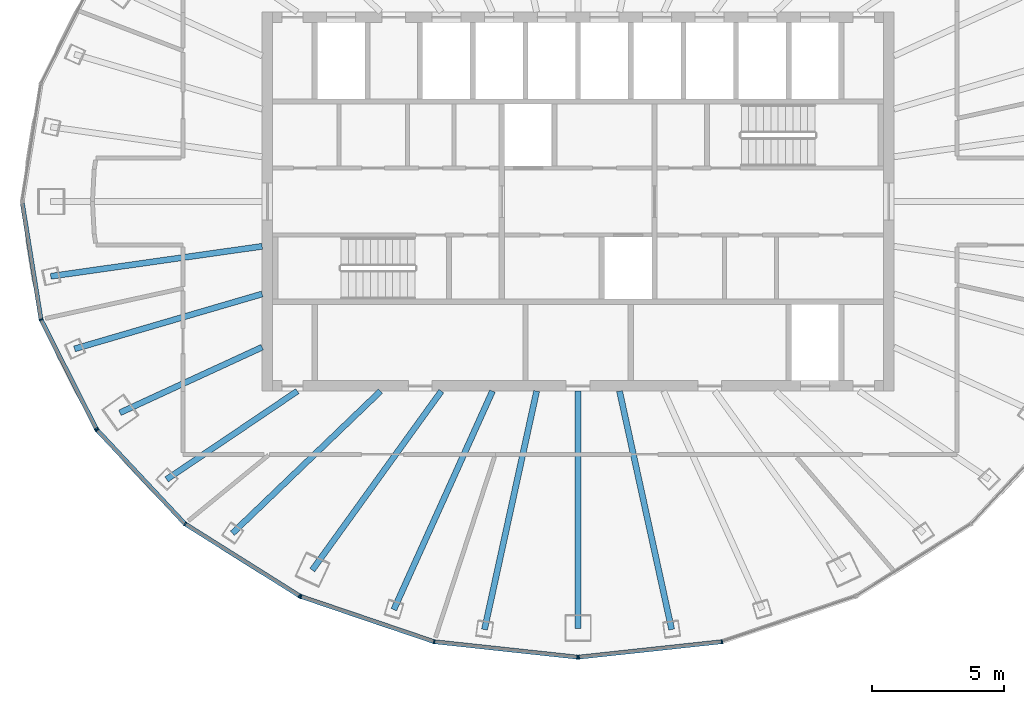
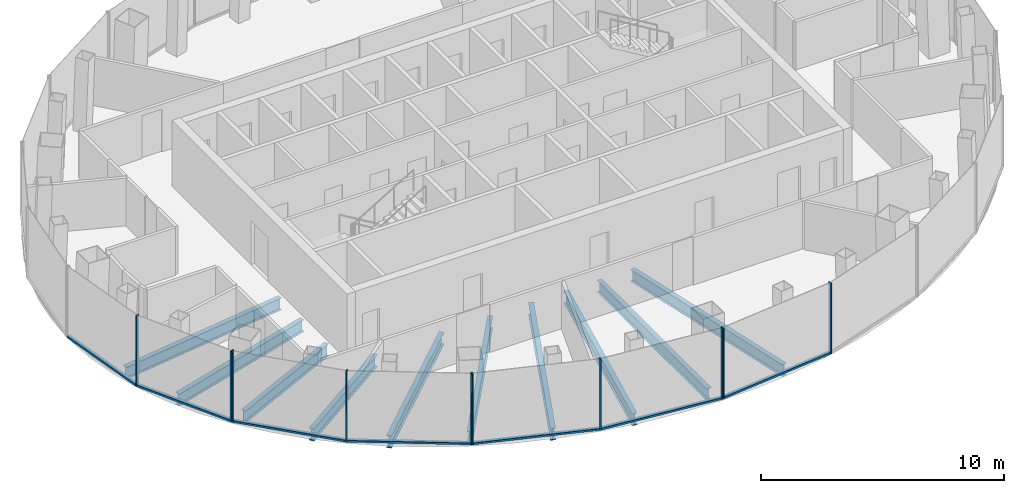
# One storey, part 2 of 11: 17 members, 10 beams, 4 elements without a shape of their own.
"""IFC4 building model written with IfcOpenShell, lengths in metres."""

from ifc_helpers import new_model, si_unit, direction, frame, origin, origin_2d, place, context, subcontext, project, spatial, rectangle, i_section, extrude, material, layer, layer_set, material_profile, profile_set, type_object, element, aggregate, save


model = new_model("IFC4")

# Units and contexts
model_context = context("Model", 3, precision=1e-05, world=origin(), true_north=direction((0.0, 1.0)))
body_context = subcontext(model_context, "Body", "Model", "MODEL_VIEW")
ifc_project = project(units=[si_unit("LENGTHUNIT", "METRE"), si_unit("AREAUNIT", "SQUARE_METRE"), si_unit("VOLUMEUNIT", "CUBIC_METRE"), si_unit("PLANEANGLEUNIT", "RADIAN"), si_unit("MASSUNIT", "GRAM", prefix="KILO")], contexts=[model_context])

# Site, building, storey
site_placement = place(None, origin())
site = spatial("IfcSite", under=ifc_project, at=site_placement, CompositionType="ELEMENT")
building_placement = place(site_placement, origin())
building = spatial("IfcBuilding", under=site, at=building_placement, Name="Siaravel Broadcast Tower", CompositionType="ELEMENT")
storey_placement = place(building_placement, frame((0.0, 0.0, 243.0)))
storey = spatial("IfcBuildingStorey", under=building, at=storey_placement, Name="L59", CompositionType="ELEMENT", Elevation=243.0)

# Beams
ifc_material_1 = material(Name="Steel S355", Category="steel")
ifc_material_profile_1 = material_profile(ifc_material_1, i_section(OverallWidth=0.2275390625, OverallDepth=0.6025390625, WebThickness=0.010498046875, FlangeThickness=0.014892578125, FilletRadius=0.0126953125, at=origin_2d()))
ifc_profile_set_1 = profile_set([ifc_material_profile_1], Name="Steel S355")
beam_type = type_object("IfcBeamType", Name="BM-UB 610x229x101", PredefinedType="BEAM", material=ifc_profile_set_1)
beam_1_placement = place(storey_placement, frame((-20.02880859375, -2.83740234375, -0.451416015625), z_axis=(0.990113211, 0.140270554, 0.0), x_axis=(-0.140270554, 0.990113211, 0.0)))
element("IfcBeam", 1, at=beam_1_placement, inside=storey, type_object=beam_type, Name="Radial beam RB20", PredefinedType="BEAM", context=body_context, shape_type="SweptSolid", body=[
    extrude(i_section(OverallWidth=0.2275390625, OverallDepth=0.6025390625, WebThickness=0.010498046875, FlangeThickness=0.014892578125, FilletRadius=0.0126953125, at=origin_2d()), origin(), (0.0, 0.0, 1.0), 8.10888671875),
])
beam_2_placement = place(storey_placement, frame((-19.12646484375, -5.59521484375, -0.451416015625), z_axis=(0.95977653, 0.280765049, 0.0), x_axis=(-0.280765049, 0.95977653, 0.0)))
element("IfcBeam", 2, at=beam_2_placement, inside=storey, type_object=beam_type, Name="Radial beam RB21", PredefinedType="BEAM", context=body_context, shape_type="SweptSolid", body=[
    extrude(i_section(OverallWidth=0.2275390625, OverallDepth=0.6025390625, WebThickness=0.010498046875, FlangeThickness=0.014892578125, FilletRadius=0.0126953125, at=origin_2d()), origin(), (0.0, 0.0, 1.0), 7.425048828125),
])
beam_3_placement = place(storey_placement, frame((-17.401611328125, -8.02099609375, -0.451416015625), z_axis=(0.908170712, 0.418599997, 0.0), x_axis=(-0.418599997, 0.908170712, 0.0)))
element("IfcBeam", 3, at=beam_3_placement, inside=storey, type_object=beam_type, Name="Radial beam RB22", PredefinedType="BEAM", context=body_context, shape_type="SweptSolid", body=[
    extrude(i_section(OverallWidth=0.2275390625, OverallDepth=0.6025390625, WebThickness=0.010498046875, FlangeThickness=0.014892578125, FilletRadius=0.0126953125, at=origin_2d()), origin(), (0.0, 0.0, 1.0), 5.94775390625),
])
beam_4_placement = place(storey_placement, frame((-15.629150390625, -10.5537109375, -0.451416015625), z_axis=(0.82874523, 0.559626074, 0.0), x_axis=(-0.559626074, 0.82874523, 0.0)))
element("IfcBeam", 4, at=beam_4_placement, inside=storey, type_object=beam_type, Name="Radial beam RB23", PredefinedType="BEAM", context=body_context, shape_type="SweptSolid", body=[
    extrude(i_section(OverallWidth=0.2275390625, OverallDepth=0.6025390625, WebThickness=0.010498046875, FlangeThickness=0.014892578125, FilletRadius=0.0126953125, at=origin_2d()), origin(), (0.0, 0.0, 1.0), 5.992919921875),
])
beam_5_placement = place(storey_placement, frame((-13.130126953125, -12.6005859375, -0.451416015625), z_axis=(0.721496776, 0.692417795, 0.0), x_axis=(-0.692417795, 0.721496776, 0.0)))
element("IfcBeam", 5, at=beam_5_placement, inside=storey, type_object=beam_type, Name="Radial beam RB24", PredefinedType="BEAM", context=body_context, shape_type="SweptSolid", body=[
    extrude(i_section(OverallWidth=0.2275390625, OverallDepth=0.6025390625, WebThickness=0.010498046875, FlangeThickness=0.014892578125, FilletRadius=0.0126953125, at=origin_2d()), origin(), (0.0, 0.0, 1.0), 7.799560546875),
])
beam_6_placement = place(storey_placement, frame((-10.095703125, -13.995849609375, -0.451416015625), z_axis=(0.585016008, 0.811021744, 0.0), x_axis=(-0.811021744, 0.585016008, 0.0)))
element("IfcBeam", 6, at=beam_6_placement, inside=storey, type_object=beam_type, Name="Radial beam RB25", PredefinedType="BEAM", context=body_context, shape_type="SweptSolid", body=[
    extrude(i_section(OverallWidth=0.2275390625, OverallDepth=0.6025390625, WebThickness=0.010498046875, FlangeThickness=0.014892578125, FilletRadius=0.0126953125, at=origin_2d()), origin(), (0.0, 0.0, 1.0), 8.37939453125),
])
beam_7_placement = place(storey_placement, frame((-6.9990234375, -15.498779296875, -0.451416015625), z_axis=(0.411559424, 0.911382928, 0.0), x_axis=(-0.911382928, 0.411559424, 0.0)))
element("IfcBeam", 7, at=beam_7_placement, inside=storey, type_object=beam_type, Name="Radial beam RB26", PredefinedType="BEAM", context=body_context, shape_type="SweptSolid", body=[
    extrude(i_section(OverallWidth=0.2275390625, OverallDepth=0.6025390625, WebThickness=0.010498046875, FlangeThickness=0.014892578125, FilletRadius=0.0126953125, at=origin_2d()), origin(), (0.0, 0.0, 1.0), 9.105712890625),
])
beam_8_placement = place(storey_placement, frame((-3.55517578125, -16.254638671875, -0.451416015625), z_axis=(0.213671741, 0.976905516, 0.0), x_axis=(-0.976905516, 0.213671741, 0.0)))
element("IfcBeam", 8, at=beam_8_placement, inside=storey, type_object=beam_type, Name="Radial beam RB27", PredefinedType="BEAM", context=body_context, shape_type="SweptSolid", body=[
    extrude(i_section(OverallWidth=0.2275390625, OverallDepth=0.6025390625, WebThickness=0.010498046875, FlangeThickness=0.014892578125, FilletRadius=0.0126953125, at=origin_2d()), origin(), (0.0, 0.0, 1.0), 9.268798828125),
])
beam_9_placement = place(storey_placement, frame((0.0, -16.20947265625, -0.451416015625), z_axis=(0.0, 1.0, 0.0), x_axis=(-1.0, 0.0, 0.0)))
element("IfcBeam", 9, at=beam_9_placement, inside=storey, type_object=beam_type, Name="Radial beam RB28", PredefinedType="BEAM", context=body_context, shape_type="SweptSolid", body=[
    extrude(i_section(OverallWidth=0.2275390625, OverallDepth=0.6025390625, WebThickness=0.010498046875, FlangeThickness=0.014892578125, FilletRadius=0.0126953125, at=origin_2d()), origin(), (0.0, 0.0, 1.0), 9.009521484375),
])
beam_10_placement = place(storey_placement, frame((3.55517578125, -16.254638671875, -0.451416015625), z_axis=(-0.213671741, 0.976905516, 0.0), x_axis=(-0.976905516, -0.213671741, 0.0)))
element("IfcBeam", 10, at=beam_10_placement, inside=storey, type_object=beam_type, Name="Radial beam RB29", PredefinedType="BEAM", context=body_context, shape_type="SweptSolid", body=[
    extrude(i_section(OverallWidth=0.2275390625, OverallDepth=0.6025390625, WebThickness=0.010498046875, FlangeThickness=0.014892578125, FilletRadius=0.0126953125, at=origin_2d()), origin(), (0.0, 0.0, 1.0), 9.268798828125),
])

# Curtain wall, members
ifc_material_2 = material(Name="Aluminium 6063-T6", Category="aluminium")
ifc_layer = layer(ifc_material_2, 0.159912109375)
ifc_layer_set = layer_set([ifc_layer], Name="Aluminium 6063-T6")
curtain_wall_type = type_object("IfcCurtainWallType", Name="Unitised curtain wall, zone 4", PredefinedType="NOTDEFINED", material=ifc_layer_set)
curtain_wall_1_placement = place(storey_placement, origin())
curtain_wall_1 = element("IfcCurtainWall", 11, at=curtain_wall_1_placement, inside=storey, type_object=curtain_wall_type, Name="L59 Unitised curtain wall, zone 4 07", PredefinedType="NOTDEFINED")
ifc_material_profile_2 = material_profile(ifc_material_2, rectangle(XDim=0.159912109375, YDim=0.054931640625, at=origin_2d()))
ifc_profile_set_2 = profile_set([ifc_material_profile_2], Name="Aluminium 6063-T6")
member_type_1 = type_object("IfcMemberType", Name="CW-Z4 mullion", PredefinedType="MULLION", material=ifc_profile_set_2)
member_1_placement = place(storey_placement, frame((-20.3974609375, -4.48193359375, 0.0), z_axis=(0.0, 0.0, 1.0), x_axis=(0.951177611, 0.308644055, 0.0)))
member_1 = element("IfcMember", 12, at=member_1_placement, type_object=member_type_1, Name="CW-Z4 mullion 2", PredefinedType="MULLION", context=body_context, shape_type="SweptSolid", body=[
    extrude(rectangle(XDim=0.159912109375, YDim=0.054931640625, at=origin_2d()), origin(), (0.0, 0.0, 1.0), 3.550048828125),
])
member_2_placement = place(storey_placement, frame((-18.298583984375, -8.6328125, 0.0), z_axis=(0.0, 0.0, 1.0), x_axis=(0.892392891, 0.451259268, 0.0)))
member_2 = element("IfcMember", 13, at=member_2_placement, type_object=member_type_1, Name="CW-Z4 mullion 3", PredefinedType="MULLION", context=body_context, shape_type="SweptSolid", body=[
    extrude(rectangle(XDim=0.159912109375, YDim=0.054931640625, at=origin_2d()), origin(), (0.0, 0.0, 1.0), 3.550048828125),
])

curtain_wall_2_placement = place(storey_placement, origin())
curtain_wall_2 = element("IfcCurtainWall", 14, at=curtain_wall_2_placement, inside=storey, type_object=curtain_wall_type, Name="L59 Unitised curtain wall, zone 4 08", PredefinedType="NOTDEFINED")
member_3_placement = place(storey_placement, frame((-18.267333984375, -8.67724609375, 0.0), z_axis=(0.0, 0.0, 1.0), x_axis=(0.729806527, 0.683653738, 0.0)))
member_3 = element("IfcMember", 15, at=member_3_placement, type_object=member_type_1, Name="CW-Z4 mullion 1", PredefinedType="MULLION", context=body_context, shape_type="SweptSolid", body=[
    extrude(rectangle(XDim=0.159912109375, YDim=0.054931640625, at=origin_2d()), origin(), (0.0, 0.0, 1.0), 3.550048828125),
])
member_4_placement = place(storey_placement, frame((-14.928955078125, -12.2412109375, 0.0), z_axis=(0.0, 0.0, 1.0), x_axis=(0.636219923, 0.771507751, 0.0)))
member_4 = element("IfcMember", 16, at=member_4_placement, type_object=member_type_1, Name="CW-Z4 mullion 2", PredefinedType="MULLION", context=body_context, shape_type="SweptSolid", body=[
    extrude(rectangle(XDim=0.159912109375, YDim=0.054931640625, at=origin_2d()), origin(), (0.0, 0.0, 1.0), 3.550048828125),
])
member_5_placement = place(storey_placement, frame((-10.57861328125, -14.9755859375, 0.0), z_axis=(0.0, 0.0, 1.0), x_axis=(0.532150463, 0.846649801, 0.0)))
member_5 = element("IfcMember", 17, at=member_5_placement, type_object=member_type_1, Name="CW-Z4 mullion 3", PredefinedType="MULLION", context=body_context, shape_type="SweptSolid", body=[
    extrude(rectangle(XDim=0.159912109375, YDim=0.054931640625, at=origin_2d()), origin(), (0.0, 0.0, 1.0), 3.550048828125),
])

curtain_wall_3_placement = place(storey_placement, origin())
curtain_wall_3 = element("IfcCurtainWall", 18, at=curtain_wall_3_placement, inside=storey, type_object=curtain_wall_type, Name="L59 Unitised curtain wall, zone 4 09", PredefinedType="NOTDEFINED")
member_6_placement = place(storey_placement, frame((-10.529296875, -14.998779296875, 0.0), z_axis=(0.0, 0.0, 1.0), x_axis=(0.321301466, 0.946976963, 0.0)))
member_6 = element("IfcMember", 19, at=member_6_placement, type_object=member_type_1, Name="CW-Z4 mullion 1", PredefinedType="MULLION", context=body_context, shape_type="SweptSolid", body=[
    extrude(rectangle(XDim=0.159912109375, YDim=0.054931640625, at=origin_2d()), origin(), (0.0, 0.0, 1.0), 3.550048828125),
])
member_7_placement = place(storey_placement, frame((-5.46337890625, -16.7177734375, 0.0), z_axis=(0.0, 0.0, 1.0), x_axis=(0.215558647, 0.976490896, 0.0)))
member_7 = element("IfcMember", 20, at=member_7_placement, type_object=member_type_1, Name="CW-Z4 mullion 2", PredefinedType="MULLION", context=body_context, shape_type="SweptSolid", body=[
    extrude(rectangle(XDim=0.159912109375, YDim=0.054931640625, at=origin_2d()), origin(), (0.0, 0.0, 1.0), 3.550048828125),
])
member_8_placement = place(storey_placement, frame((-0.02734375, -17.303955078125, 0.0), z_axis=(0.0, 0.0, 1.0), x_axis=(0.107217782, 0.994235559, 0.0)))
member_8 = element("IfcMember", 21, at=member_8_placement, type_object=member_type_1, Name="CW-Z4 mullion 3", PredefinedType="MULLION", context=body_context, shape_type="SweptSolid", body=[
    extrude(rectangle(XDim=0.159912109375, YDim=0.054931640625, at=origin_2d()), origin(), (0.0, 0.0, 1.0), 3.550048828125),
])

curtain_wall_4_placement = place(storey_placement, origin())
curtain_wall_4 = element("IfcCurtainWall", 22, at=curtain_wall_4_placement, inside=storey, type_object=curtain_wall_type, Name="L59 Unitised curtain wall, zone 4 10", PredefinedType="NOTDEFINED")
member_9_placement = place(storey_placement, frame((0.02734375, -17.303955078125, 0.0), z_axis=(0.0, 0.0, 1.0), x_axis=(-0.107217782, 0.994235559, 0.0)))
member_9 = element("IfcMember", 23, at=member_9_placement, type_object=member_type_1, Name="CW-Z4 mullion 1", PredefinedType="MULLION", context=body_context, shape_type="SweptSolid", body=[
    extrude(rectangle(XDim=0.159912109375, YDim=0.054931640625, at=origin_2d()), origin(), (0.0, 0.0, 1.0), 3.550048828125),
])
member_10_placement = place(storey_placement, frame((5.46337890625, -16.7177734375, 0.0), z_axis=(0.0, 0.0, 1.0), x_axis=(-0.215558647, 0.976490896, 0.0)))
member_10 = element("IfcMember", 24, at=member_10_placement, type_object=member_type_1, Name="CW-Z4 mullion 2", PredefinedType="MULLION", context=body_context, shape_type="SweptSolid", body=[
    extrude(rectangle(XDim=0.159912109375, YDim=0.054931640625, at=origin_2d()), origin(), (0.0, 0.0, 1.0), 3.550048828125),
])

# Member
ifc_material_profile_3 = material_profile(ifc_material_2, rectangle(XDim=0.159912109375, YDim=0.090087890625, at=origin_2d()))
ifc_profile_set_3 = profile_set([ifc_material_profile_3], Name="Aluminium 6063-T6")
member_type_2 = type_object("IfcMemberType", Name="CW-Z4 transom", PredefinedType="USERDEFINED", material=ifc_profile_set_3)
member_11_placement = place(storey_placement, frame((-21.109130859375, -0.05419921875, 0.044921875), z_axis=(0.15868477, -0.987329299, 0.0), x_axis=(0.987329299, 0.15868477, 0.0)))
member_11 = element("IfcMember", 25, at=member_11_placement, type_object=member_type_2, Name="CW-Z4 transom 1", ObjectType="TRANSOM", PredefinedType="USERDEFINED", context=body_context, shape_type="SweptSolid", body=[
    extrude(rectangle(XDim=0.159912109375, YDim=0.090087890625, at=origin_2d()), origin(), (0.0, 0.0, 1.0), 4.45703125),
])

member_12_placement = place(storey_placement, frame((-20.385009765625, -4.506591796875, 0.044921875), z_axis=(0.451288387, -0.892378166, 0.0), x_axis=(0.892378166, 0.451288387, 0.0)))
member_12 = element("IfcMember", 26, at=member_12_placement, type_object=member_type_2, Name="CW-Z4 transom 2", ObjectType="TRANSOM", PredefinedType="USERDEFINED", context=body_context, shape_type="SweptSolid", body=[
    extrude(rectangle(XDim=0.159912109375, YDim=0.090087890625, at=origin_2d()), origin(), (0.0, 0.0, 1.0), 4.59619140625),
])

aggregate(curtain_wall_1, [member_1, member_2, member_11, member_12])

member_13_placement = place(storey_placement, frame((-18.24853515625, -8.697509765625, 0.044921875), z_axis=(0.683646721, -0.7298131, 0.0), x_axis=(0.7298131, 0.683646721, 0.0)))
member_13 = element("IfcMember", 27, at=member_13_placement, type_object=member_type_2, Name="CW-Z4 transom 1", ObjectType="TRANSOM", PredefinedType="USERDEFINED", context=body_context, shape_type="SweptSolid", body=[
    extrude(rectangle(XDim=0.159912109375, YDim=0.090087890625, at=origin_2d()), origin(), (0.0, 0.0, 1.0), 4.828125),
])

member_14_placement = place(storey_placement, frame((-14.905517578125, -12.255859375, 0.044921875), z_axis=(0.84666808, -0.532121379, 0.0), x_axis=(0.532121379, 0.84666808, 0.0)))
member_14 = element("IfcMember", 28, at=member_14_placement, type_object=member_type_2, Name="CW-Z4 transom 2", ObjectType="TRANSOM", PredefinedType="USERDEFINED", context=body_context, shape_type="SweptSolid", body=[
    extrude(rectangle(XDim=0.159912109375, YDim=0.090087890625, at=origin_2d()), origin(), (0.0, 0.0, 1.0), 5.0830078125),
])

aggregate(curtain_wall_2, [member_3, member_4, member_5, member_13, member_14])

member_15_placement = place(storey_placement, frame((-10.503173828125, -15.0078125, 0.044921875), z_axis=(0.946972687, -0.321314067, 0.0), x_axis=(0.321314067, 0.946972687, 0.0)))
member_15 = element("IfcMember", 29, at=member_15_placement, type_object=member_type_2, Name="CW-Z4 transom 1", ObjectType="TRANSOM", PredefinedType="USERDEFINED", context=body_context, shape_type="SweptSolid", body=[
    extrude(rectangle(XDim=0.159912109375, YDim=0.090087890625, at=origin_2d()), origin(), (0.0, 0.0, 1.0), 5.29443359375),
])

member_16_placement = place(storey_placement, frame((-5.43603515625, -16.720703125, 0.044921875), z_axis=(0.994235542, -0.107217942, 0.0), x_axis=(0.107217942, 0.994235542, 0.0)))
member_16 = element("IfcMember", 30, at=member_16_placement, type_object=member_type_2, Name="CW-Z4 transom 2", ObjectType="TRANSOM", PredefinedType="USERDEFINED", context=body_context, shape_type="SweptSolid", body=[
    extrude(rectangle(XDim=0.159912109375, YDim=0.090087890625, at=origin_2d()), origin(), (0.0, 0.0, 1.0), 5.41259765625),
])

aggregate(curtain_wall_3, [member_6, member_7, member_8, member_15, member_16])

member_17_placement = place(storey_placement, frame((0.0546875, -17.301025390625, 0.044921875), z_axis=(0.994235542, 0.107217942, 0.0), x_axis=(-0.107217942, 0.994235542, 0.0)))
member_17 = element("IfcMember", 31, at=member_17_placement, type_object=member_type_2, Name="CW-Z4 transom 1", ObjectType="TRANSOM", PredefinedType="USERDEFINED", context=body_context, shape_type="SweptSolid", body=[
    extrude(rectangle(XDim=0.159912109375, YDim=0.090087890625, at=origin_2d()), origin(), (0.0, 0.0, 1.0), 5.41259765625),
])

aggregate(curtain_wall_4, [member_9, member_10, member_17])

save(model, "model.ifc")
